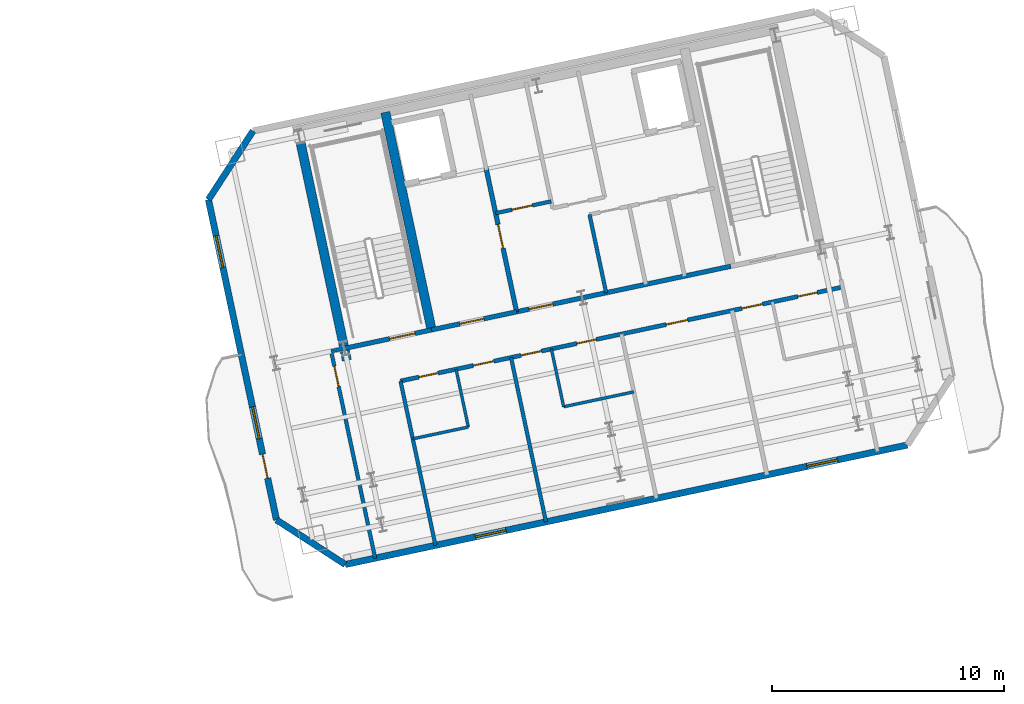
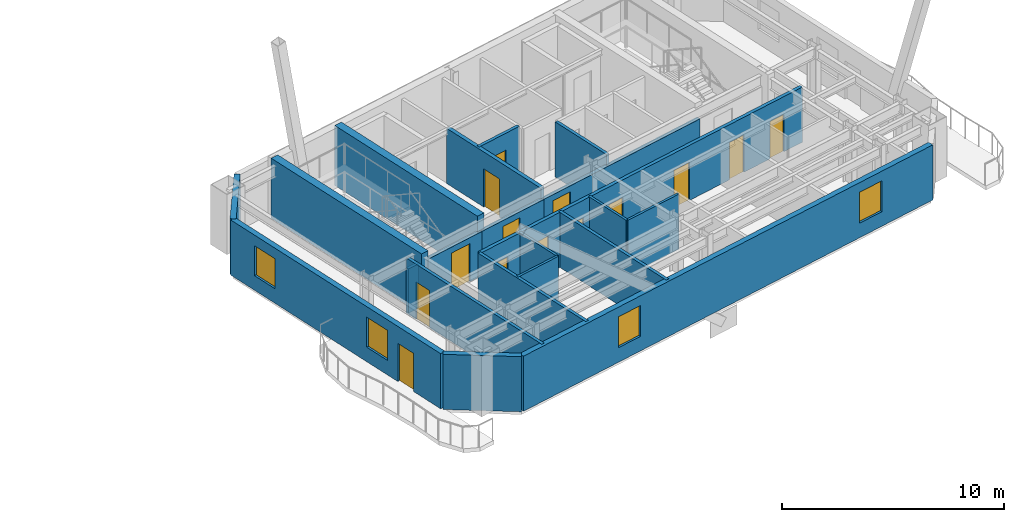
# One storey, part 8 of 14: 21 walls, 14 doors, 4 windows, 18 openings.
"""IFC4 building model written with IfcOpenShell, lengths in metres."""

from ifc_helpers import new_model, si_unit, direction, frame, frame_2d, origin, place, context, subcontext, project, spatial, rectangle, extrude, material, layer, layer_set, type_object, element, fill, save


model = new_model("IFC4")

# Units and contexts
model_context = context("Model", 3, precision=1e-05, world=origin(), true_north=direction((0.0, 1.0)))
body_context = subcontext(model_context, "Body", "Model", "MODEL_VIEW")
ifc_project = project(units=[si_unit("LENGTHUNIT", "METRE"), si_unit("AREAUNIT", "SQUARE_METRE"), si_unit("VOLUMEUNIT", "CUBIC_METRE"), si_unit("PLANEANGLEUNIT", "RADIAN"), si_unit("MASSUNIT", "GRAM", prefix="KILO")], contexts=[model_context])

# Site, building, storey
site_placement = place(None, origin())
site = spatial("IfcSite", under=ifc_project, at=site_placement, CompositionType="ELEMENT")
building_placement = place(site_placement, origin())
building = spatial("IfcBuilding", under=site, at=building_placement, Name="Haevon Station Towers", CompositionType="ELEMENT")
storey_placement = place(building_placement, frame((0.0, 0.0, 208.800048828125)))
storey = spatial("IfcBuildingStorey", under=building, at=storey_placement, Name="L57", CompositionType="ELEMENT", Elevation=208.800048828125)

# Wall, openings, doors
ifc_material_1 = material(Name="Gypsum board on steel stud", Category="steel")
ifc_layer_1 = layer(ifc_material_1, 0.179931640625)
ifc_layer_set_1 = layer_set([ifc_layer_1], Name="Gypsum board on steel stud")
wall_type_1 = type_object("IfcWallType", Name="WL-ACU180", PredefinedType="PARTITIONING", material=ifc_layer_set_1)
wall_1_placement = place(storey_placement, frame((101.177734375, 36.035888671875, 0.0), z_axis=(0.0, 0.0, 1.0), x_axis=(0.978146089545, 0.207918800275, 0.0)))
wall_1 = element("IfcWall", 1, at=wall_1_placement, inside=storey, type_object=wall_type_1, Name="WL-T2PT-L57-15", PredefinedType="PARTITIONING", context=body_context, shape_type="SweptSolid", body=[
    extrude(rectangle(XDim=19.500244140625, YDim=0.179931640625, at=frame_2d((9.75, 0.0))), origin(), (0.0, 0.0, 1.0), 3.030029296875),
])
opening_1_placement = place(wall_1_placement, frame((0.800048828125, 0.0, 0.0)))
opening_1 = element("IfcOpeningElement", 2, at=opening_1_placement, cuts=wall_1, Name="Opening DR-WL-T2PT-L57-15-01", PredefinedType="OPENING", context=body_context, shape_type="SweptSolid", body=[
    extrude(rectangle(XDim=0.85009765625, YDim=2.050048828125, at=frame_2d((0.425048828125, 1.02490234375))), frame((0.0, 0.099853515625, 0.0), z_axis=(0.0, -1.0, 0.0), x_axis=(1.0, 0.0, 0.0)), (0.0, 0.0, 1.0), 0.199951171875),
])
opening_2_placement = place(wall_1_placement, frame((3.212890625, 0.0, 0.0)))
opening_2 = element("IfcOpeningElement", 3, at=opening_2_placement, cuts=wall_1, Name="Opening DR-WL-T2PT-L57-15-02", PredefinedType="OPENING", context=body_context, shape_type="SweptSolid", body=[
    extrude(rectangle(XDim=0.89990234375, YDim=2.050048828125, at=frame_2d((0.449951171875, 1.02490234375))), frame((0.0, 0.099853515625, 0.0), z_axis=(0.0, -1.0, 0.0), x_axis=(1.0, 0.0, 0.0)), (0.0, 0.0, 1.0), 0.199951171875),
])
opening_3_placement = place(wall_1_placement, frame((7.778076171875, 0.0, 0.0)))
opening_3 = element("IfcOpeningElement", 4, at=opening_3_placement, cuts=wall_1, Name="Opening DR-WL-T2PT-L57-15-03", PredefinedType="OPENING", context=body_context, shape_type="SweptSolid", body=[
    extrude(rectangle(XDim=0.85009765625, YDim=2.050048828125, at=frame_2d((0.425048828125, 1.02490234375))), frame((0.0, 0.099853515625, 0.0), z_axis=(0.0, -1.0, 0.0), x_axis=(1.0, 0.0, 0.0)), (0.0, 0.0, 1.0), 0.199951171875),
])
opening_4_placement = place(wall_1_placement, frame((5.31494140625, 0.0, 0.0)))
opening_4 = element("IfcOpeningElement", 5, at=opening_4_placement, cuts=wall_1, Name="Opening DR-WL-T2PT-L57-15-04", PredefinedType="OPENING", context=body_context, shape_type="SweptSolid", body=[
    extrude(rectangle(XDim=0.89990234375, YDim=2.050048828125, at=frame_2d((0.449951171875, 1.02490234375))), frame((0.0, 0.099853515625, 0.0), z_axis=(0.0, -1.0, 0.0), x_axis=(1.0, 0.0, 0.0)), (0.0, 0.0, 1.0), 0.199951171875),
])
opening_5_placement = place(wall_1_placement, frame((11.712890625, 0.0, 0.0)))
opening_5 = element("IfcOpeningElement", 6, at=opening_5_placement, cuts=wall_1, Name="Opening DR-WL-T2PT-L57-15-05", PredefinedType="OPENING", context=body_context, shape_type="SweptSolid", body=[
    extrude(rectangle(XDim=0.949951171875, YDim=2.10009765625, at=frame_2d((0.47509765625, 1.050048828125))), frame((0.0, 0.099853515625, 0.0), z_axis=(0.0, -1.0, 0.0), x_axis=(1.0, 0.0, 0.0)), (0.0, 0.0, 1.0), 0.199951171875),
])
opening_6_placement = place(wall_1_placement, frame((17.527099609375, 0.0, 0.0)))
opening_6 = element("IfcOpeningElement", 7, at=opening_6_placement, cuts=wall_1, Name="Opening DR-WL-T2PT-L57-15-06", PredefinedType="OPENING", context=body_context, shape_type="SweptSolid", body=[
    extrude(rectangle(XDim=0.85009765625, YDim=2.050048828125, at=frame_2d((0.425048828125, 1.02490234375))), frame((0.0, 0.099853515625, 0.0), z_axis=(0.0, -1.0, 0.0), x_axis=(1.0, 0.0, 0.0)), (0.0, 0.0, 1.0), 0.199951171875),
])
opening_7_placement = place(wall_1_placement, frame((15.06494140625, 0.0, 0.0)))
opening_7 = element("IfcOpeningElement", 8, at=opening_7_placement, cuts=wall_1, Name="Opening DR-WL-T2PT-L57-15-07", PredefinedType="OPENING", context=body_context, shape_type="SweptSolid", body=[
    extrude(rectangle(XDim=0.89990234375, YDim=2.050048828125, at=frame_2d((0.449951171875, 1.02490234375))), frame((0.0, 0.099853515625, 0.0), z_axis=(0.0, -1.0, 0.0), x_axis=(1.0, 0.0, 0.0)), (0.0, 0.0, 1.0), 0.199951171875),
])
ifc_material_2 = material(Name="Engineered oak timber", Category="wood")
door_type_1 = type_object("IfcDoorType", Name="DR-FD30-850", OperationType="NOTDEFINED", PredefinedType="DOOR", material=ifc_material_2)
door_1_placement = place(opening_1_placement, origin())
door_1 = element("IfcDoor", 9, at=door_1_placement, inside=storey, type_object=door_type_1, Name="L57 Tower 2 Room Door 15-1", OperationType="SINGLE_SWING_RIGHT", OverallHeight=2.050048828125, OverallWidth=0.85009765625, PredefinedType="DOOR", context=body_context, shape_type="SweptSolid", body=[
    extrude(rectangle(XDim=0.85009765625, YDim=2.050048828125, at=frame_2d((0.425048828125, 1.02490234375))), frame((0.0, 0.02490234375, 0.0), z_axis=(0.0, -1.0, 0.0), x_axis=(1.0, 0.0, 0.0)), (0.0, 0.0, 1.0), 0.050048828125),
])
fill(opening_1, door_1)
door_2_placement = place(opening_3_placement, origin())
door_2 = element("IfcDoor", 10, at=door_2_placement, inside=storey, type_object=door_type_1, Name="L57 Tower 2 Room Door 15-3", OperationType="SINGLE_SWING_RIGHT", OverallHeight=2.050048828125, OverallWidth=0.85009765625, PredefinedType="DOOR", context=body_context, shape_type="SweptSolid", body=[
    extrude(rectangle(XDim=0.85009765625, YDim=2.050048828125, at=frame_2d((0.425048828125, 1.02490234375))), frame((0.0, 0.02490234375, 0.0), z_axis=(0.0, -1.0, 0.0), x_axis=(1.0, 0.0, 0.0)), (0.0, 0.0, 1.0), 0.050048828125),
])
fill(opening_3, door_2)
door_3_placement = place(opening_6_placement, origin())
door_3 = element("IfcDoor", 11, at=door_3_placement, inside=storey, type_object=door_type_1, Name="L57 Tower 2 Room Door 15-6", OperationType="SINGLE_SWING_LEFT", OverallHeight=2.050048828125, OverallWidth=0.85009765625, PredefinedType="DOOR", context=body_context, shape_type="SweptSolid", body=[
    extrude(rectangle(XDim=0.85009765625, YDim=2.050048828125, at=frame_2d((0.425048828125, 1.02490234375))), frame((0.0, 0.02490234375, 0.0), z_axis=(0.0, -1.0, 0.0), x_axis=(1.0, 0.0, 0.0)), (0.0, 0.0, 1.0), 0.050048828125),
])
fill(opening_6, door_3)
door_type_2 = type_object("IfcDoorType", Name="DR-FD30-950", OperationType="NOTDEFINED", PredefinedType="DOOR", material=ifc_material_2)
door_4_placement = place(opening_5_placement, origin())
door_4 = element("IfcDoor", 12, at=door_4_placement, inside=storey, type_object=door_type_2, Name="L57 Tower 2 Room Door 15-5", OperationType="SINGLE_SWING_RIGHT", OverallHeight=2.10009765625, OverallWidth=0.949951171875, PredefinedType="DOOR", context=body_context, shape_type="SweptSolid", body=[
    extrude(rectangle(XDim=0.949951171875, YDim=2.10009765625, at=frame_2d((0.47509765625, 1.050048828125))), frame((0.0, 0.02490234375, 0.0), z_axis=(0.0, -1.0, 0.0), x_axis=(1.0, 0.0, 0.0)), (0.0, 0.0, 1.0), 0.050048828125),
])
fill(opening_5, door_4)
door_type_3 = type_object("IfcDoorType", Name="DR-INT-900", OperationType="NOTDEFINED", PredefinedType="DOOR", material=ifc_material_2)
door_5_placement = place(opening_2_placement, origin())
door_5 = element("IfcDoor", 13, at=door_5_placement, inside=storey, type_object=door_type_3, Name="L57 Tower 2 Room Door 15-2", OperationType="SINGLE_SWING_LEFT", OverallHeight=2.050048828125, OverallWidth=0.89990234375, PredefinedType="DOOR", context=body_context, shape_type="SweptSolid", body=[
    extrude(rectangle(XDim=0.89990234375, YDim=2.050048828125, at=frame_2d((0.449951171875, 1.02490234375))), frame((0.0, 0.02490234375, 0.0), z_axis=(0.0, -1.0, 0.0), x_axis=(1.0, 0.0, 0.0)), (0.0, 0.0, 1.0), 0.050048828125),
])
fill(opening_2, door_5)
door_6_placement = place(opening_4_placement, origin())
door_6 = element("IfcDoor", 14, at=door_6_placement, inside=storey, type_object=door_type_3, Name="L57 Tower 2 Room Door 15-4", OperationType="SINGLE_SWING_LEFT", OverallHeight=2.050048828125, OverallWidth=0.89990234375, PredefinedType="DOOR", context=body_context, shape_type="SweptSolid", body=[
    extrude(rectangle(XDim=0.89990234375, YDim=2.050048828125, at=frame_2d((0.449951171875, 1.02490234375))), frame((0.0, 0.02490234375, 0.0), z_axis=(0.0, -1.0, 0.0), x_axis=(1.0, 0.0, 0.0)), (0.0, 0.0, 1.0), 0.050048828125),
])
fill(opening_4, door_6)
door_7_placement = place(opening_7_placement, origin())
door_7 = element("IfcDoor", 15, at=door_7_placement, inside=storey, type_object=door_type_3, Name="L57 Tower 2 Room Door 15-7", OperationType="SINGLE_SWING_RIGHT", OverallHeight=2.050048828125, OverallWidth=0.89990234375, PredefinedType="DOOR", context=body_context, shape_type="SweptSolid", body=[
    extrude(rectangle(XDim=0.89990234375, YDim=2.050048828125, at=frame_2d((0.449951171875, 1.02490234375))), frame((0.0, 0.02490234375, 0.0), z_axis=(0.0, -1.0, 0.0), x_axis=(1.0, 0.0, 0.0)), (0.0, 0.0, 1.0), 0.050048828125),
])
fill(opening_7, door_7)

# Wall, opening, door
ifc_layer_2 = layer(ifc_material_1, 0.199951171875)
ifc_layer_set_2 = layer_set([ifc_layer_2], Name="Gypsum board on steel stud")
wall_type_2 = type_object("IfcWallType", Name="WL-COR200", PredefinedType="PARTITIONING", material=ifc_layer_set_2)
wall_2_placement = place(storey_placement, frame((98.75244140625, 37.4423828125, 0.0), z_axis=(0.0, 0.0, 1.0), x_axis=(0.978143537786, 0.207930804564, 0.0)))
wall_2 = element("IfcWall", 16, at=wall_2_placement, inside=storey, type_object=wall_type_2, Name="WL-ST-ST3-L57", PredefinedType="PARTITIONING", context=body_context, shape_type="SweptSolid", body=[
    extrude(rectangle(XDim=3.85009765625, YDim=0.199951171875, at=frame_2d((1.925048828125, 0.0))), origin(), (0.0, 0.0, 1.0), 2.429931640625),
])
opening_8_placement = place(wall_2_placement, frame((2.0, 0.0, 0.0)))
opening_8 = element("IfcOpeningElement", 17, at=opening_8_placement, cuts=wall_2, Name="Opening DR-ST-ST3-L57", PredefinedType="OPENING", context=body_context, shape_type="SweptSolid", body=[
    extrude(rectangle(XDim=1.1201171875, YDim=2.10009765625, at=frame_2d((0.56005859375, 1.050048828125))), frame((0.0, 0.10986328125, 0.0), z_axis=(0.0, -1.0, 0.0), x_axis=(1.0, 0.0, 0.0)), (0.0, 0.0, 1.0), 0.219970703125),
])
door_type_4 = type_object("IfcDoorType", Name="DR-ST-1120", OperationType="NOTDEFINED", PredefinedType="DOOR", material=ifc_material_2)
door_8_placement = place(opening_8_placement, origin())
door_8 = element("IfcDoor", 18, at=door_8_placement, inside=storey, type_object=door_type_4, Name="L57 Escape Stair ST3 Fire Door", OperationType="SINGLE_SWING_LEFT", OverallHeight=2.10009765625, OverallWidth=1.1201171875, PredefinedType="DOOR", context=body_context, shape_type="SweptSolid", body=[
    extrude(rectangle(XDim=1.1201171875, YDim=2.10009765625, at=frame_2d((0.56005859375, 1.050048828125))), frame((0.0, 0.02490234375, 0.0), z_axis=(0.0, -1.0, 0.0), x_axis=(1.0, 0.0, 0.0)), (0.0, 0.0, 1.0), 0.050048828125),
])
fill(opening_8, door_8)

wall_3_placement = place(storey_placement, frame((106.186279296875, 39.0224609375, 0.0), z_axis=(0.0, 0.0, 1.0), x_axis=(-0.207916691923, 0.978146537703, 0.0)))
wall_3 = element("IfcWall", 19, at=wall_3_placement, inside=storey, type_object=wall_type_2, Name="WL-T2FFL-L57-E", PredefinedType="PARTITIONING", context=body_context, shape_type="SweptSolid", body=[
    extrude(rectangle(XDim=6.35009765625, YDim=0.199951171875, at=frame_2d((3.175048828125, 0.0))), origin(), (0.0, 0.0, 1.0), 3.030029296875),
])
opening_9_placement = place(wall_3_placement, frame((2.800048828125, 0.0, 0.0)))
opening_9 = element("IfcOpeningElement", 20, at=opening_9_placement, cuts=wall_3, Name="Opening DR-T2FFL-L57-E", PredefinedType="OPENING", context=body_context, shape_type="SweptSolid", body=[
    extrude(rectangle(XDim=1.050048828125, YDim=2.10009765625, at=frame_2d((0.52490234375, 1.050048828125))), frame((0.0, 0.10986328125, 0.0), z_axis=(0.0, -1.0, 0.0), x_axis=(1.0, 0.0, 0.0)), (0.0, 0.0, 1.0), 0.219970703125),
])
door_type_5 = type_object("IfcDoorType", Name="DR-FD60-1050", OperationType="NOTDEFINED", PredefinedType="DOOR", material=ifc_material_2)
door_9_placement = place(opening_9_placement, origin())
door_9 = element("IfcDoor", 21, at=door_9_placement, inside=storey, type_object=door_type_5, Name="L57 Tower 2 Firefighting Lift Lobby Door E", OperationType="SINGLE_SWING_LEFT", OverallHeight=2.10009765625, OverallWidth=1.050048828125, PredefinedType="DOOR", context=body_context, shape_type="SweptSolid", body=[
    extrude(rectangle(XDim=1.050048828125, YDim=2.10009765625, at=frame_2d((0.52490234375, 1.050048828125))), frame((0.0, 0.02490234375, 0.0), z_axis=(0.0, -1.0, 0.0), x_axis=(1.0, 0.0, 0.0)), (0.0, 0.0, 1.0), 0.050048828125),
])
fill(opening_9, door_9)

wall_4_placement = place(storey_placement, frame((102.518310546875, 38.242919921875, 0.0), z_axis=(0.0, 0.0, 1.0), x_axis=(0.978153555683, 0.20788367301, 0.0)))
wall_4 = element("IfcWall", 22, at=wall_4_placement, inside=storey, type_object=wall_type_2, Name="WL-T2FFL-L57-S", PredefinedType="PARTITIONING", context=body_context, shape_type="SweptSolid", body=[
    extrude(rectangle(XDim=3.75, YDim=0.199951171875, at=frame_2d((1.875, 0.0))), origin(), (0.0, 0.0, 1.0), 2.429931640625),
])
opening_10_placement = place(wall_4_placement, frame((1.25, 0.0, 0.0)))
opening_10 = element("IfcOpeningElement", 23, at=opening_10_placement, cuts=wall_4, Name="Opening DR-T2FFL-L57-S", PredefinedType="OPENING", context=body_context, shape_type="SweptSolid", body=[
    extrude(rectangle(XDim=1.050048828125, YDim=2.10009765625, at=frame_2d((0.52490234375, 1.050048828125))), frame((0.0, 0.10986328125, 0.0), z_axis=(0.0, -1.0, 0.0), x_axis=(1.0, 0.0, 0.0)), (0.0, 0.0, 1.0), 0.219970703125),
])
door_10_placement = place(opening_10_placement, origin())
door_10 = element("IfcDoor", 24, at=door_10_placement, inside=storey, type_object=door_type_5, Name="L57 Tower 2 Firefighting Lift Lobby Door S", OperationType="SINGLE_SWING_RIGHT", OverallHeight=2.10009765625, OverallWidth=1.050048828125, PredefinedType="DOOR", context=body_context, shape_type="SweptSolid", body=[
    extrude(rectangle(XDim=1.050048828125, YDim=2.10009765625, at=frame_2d((0.52490234375, 1.050048828125))), frame((0.0, 0.02490234375, 0.0), z_axis=(0.0, -1.0, 0.0), x_axis=(1.0, 0.0, 0.0)), (0.0, 0.0, 1.0), 0.050048828125),
])
fill(opening_10, door_10)

wall_5_placement = place(storey_placement, frame((106.186279296875, 39.0224609375, 0.0), z_axis=(0.0, 0.0, 1.0), x_axis=(0.978145519981, 0.20792147975, 0.0)))
wall_5 = element("IfcWall", 25, at=wall_5_placement, inside=storey, type_object=wall_type_2, Name="WL-T2CLB-L57", PredefinedType="PARTITIONING", context=body_context, shape_type="SweptSolid", body=[
    extrude(rectangle(XDim=9.449951171875, YDim=0.199951171875, at=frame_2d((4.72509765625, 0.0))), origin(), (0.0, 0.0, 1.0), 2.429931640625),
])
opening_11_placement = place(wall_5_placement, frame((0.550048828125, 0.0, 0.0)))
opening_11 = element("IfcOpeningElement", 26, at=opening_11_placement, cuts=wall_5, Name="Opening DR-T2CLB-L57-1", PredefinedType="OPENING", context=body_context, shape_type="SweptSolid", body=[
    extrude(rectangle(XDim=1.050048828125, YDim=2.10009765625, at=frame_2d((0.52490234375, 1.050048828125))), frame((0.0, 0.10986328125, 0.0), z_axis=(0.0, -1.0, 0.0), x_axis=(1.0, 0.0, 0.0)), (0.0, 0.0, 1.0), 0.219970703125),
])
door_11_placement = place(opening_11_placement, origin())
door_11 = element("IfcDoor", 27, at=door_11_placement, inside=storey, type_object=door_type_5, Name="L57 Tower 2 Core Lift Lobby Door 1", OperationType="SINGLE_SWING_LEFT", OverallHeight=2.10009765625, OverallWidth=1.050048828125, PredefinedType="DOOR", context=body_context, shape_type="SweptSolid", body=[
    extrude(rectangle(XDim=1.050048828125, YDim=2.10009765625, at=frame_2d((0.52490234375, 1.050048828125))), frame((0.0, 0.02490234375, 0.0), z_axis=(0.0, -1.0, 0.0), x_axis=(1.0, 0.0, 0.0)), (0.0, 0.0, 1.0), 0.050048828125),
])
fill(opening_11, door_11)

# Walls
ifc_material_3 = material(Name="Concrete C60/75", Category="concrete")
ifc_layer_3 = layer(ifc_material_3, 0.39990234375)
ifc_layer_set_3 = layer_set([ifc_layer_3], Name="Concrete C60/75")
wall_type_3 = type_object("IfcWallType", Name="WL-CR400", PredefinedType="SHEAR", material=ifc_layer_set_3)
wall_6_placement = place(storey_placement, frame((98.8603515625, 36.933837890625, 0.0), z_axis=(0.0, 0.0, 1.0), x_axis=(-0.20790924889, 0.978148119778, 0.0)))
element("IfcWall", 28, at=wall_6_placement, inside=storey, type_object=wall_type_3, Name="WL-T2CR-L57-W", PredefinedType="SHEAR", context=body_context, shape_type="SweptSolid", body=[
    extrude(rectangle(XDim=10.119873046875, YDim=0.39990234375, at=frame_2d((5.06005859375, 0.0))), origin(), (0.0, 0.0, 1.0), 3.300048828125),
])
wall_7_placement = place(storey_placement, frame((102.518310546875, 38.242919921875, 0.0), z_axis=(0.0, 0.0, 1.0), x_axis=(-0.207927495108, 0.978144241295, 0.0)))
element("IfcWall", 29, at=wall_7_placement, inside=storey, type_object=wall_type_3, Name="WL-T2CR-L57-M1", PredefinedType="SHEAR", context=body_context, shape_type="SweptSolid", body=[
    extrude(rectangle(XDim=9.599853515625, YDim=0.39990234375, at=frame_2d((4.7998046875, 0.0))), origin(), (0.0, 0.0, 1.0), 3.300048828125),
])

# Wall, openings, windows
ifc_material_4 = material(Name="Precast concrete C45/55", Category="concrete")
ifc_layer_4 = layer(ifc_material_4, 0.280029296875)
ifc_layer_set_4 = layer_set([ifc_layer_4], Name="Precast concrete C45/55")
wall_type_4 = type_object("IfcWallType", Name="WL-EXT-PIER280", PredefinedType="SOLIDWALL", material=ifc_layer_set_4)
wall_8_placement = place(storey_placement, frame((123.050048828125, 33.273193359375, 0.0), z_axis=(0.0, 0.0, 1.0), x_axis=(-0.97814726544, -0.207913268245, 0.0)))
wall_8 = element("IfcWall", 30, at=wall_8_placement, inside=storey, type_object=wall_type_4, Name="WL-T2-L57-S", PredefinedType="SOLIDWALL", context=body_context, shape_type="SweptSolid", body=[
    extrude(rectangle(XDim=24.800048828125, YDim=0.280029296875, at=frame_2d((12.39990234375, 0.0))), origin(), (0.0, 0.0, 1.0), 3.030029296875),
])
opening_12_placement = place(wall_8_placement, frame((17.70751953125, 0.0, 0.800048828125)))
opening_12 = element("IfcOpeningElement", 31, at=opening_12_placement, cuts=wall_8, Name="Opening WN-P135", PredefinedType="OPENING", context=body_context, shape_type="SweptSolid", body=[
    extrude(rectangle(XDim=1.35009765625, YDim=1.699951171875, at=frame_2d((0.675048828125, 0.85009765625))), frame((0.0, 0.14990234375, 0.0), z_axis=(0.0, -1.0, 0.0), x_axis=(1.0, 0.0, 0.0)), (0.0, 0.0, 1.0), 0.300048828125),
])
opening_13_placement = place(wall_8_placement, frame((3.08251953125, 0.0, 0.800048828125)))
opening_13 = element("IfcOpeningElement", 32, at=opening_13_placement, cuts=wall_8, Name="Opening WN-P135", PredefinedType="OPENING", context=body_context, shape_type="SweptSolid", body=[
    extrude(rectangle(XDim=1.35009765625, YDim=1.699951171875, at=frame_2d((0.675048828125, 0.85009765625))), frame((0.0, 0.14990234375, 0.0), z_axis=(0.0, -1.0, 0.0), x_axis=(1.0, 0.0, 0.0)), (0.0, 0.0, 1.0), 0.300048828125),
])
ifc_material_5 = material(Name="Low-E triple glazing in thermally broken aluminium", Category="aluminium")
window_type_1 = type_object("IfcWindowType", Name="WN-P135", PartitioningType="SINGLE_PANEL", PredefinedType="WINDOW", material=ifc_material_5)
window_1_placement = place(opening_12_placement, origin())
window_1 = element("IfcWindow", 33, at=window_1_placement, inside=storey, type_object=window_type_1, Name="WN-T2-L57-S01", OverallHeight=1.699951171875, OverallWidth=1.35009765625, PartitioningType="SINGLE_PANEL", PredefinedType="WINDOW", context=body_context, shape_type="SweptSolid", body=[
    extrude(rectangle(XDim=1.35009765625, YDim=1.699951171875, at=frame_2d((0.675048828125, 0.85009765625))), frame((0.0, 0.030029296875, 0.0), z_axis=(0.0, -1.0, 0.0), x_axis=(1.0, 0.0, 0.0)), (0.0, 0.0, 1.0), 0.06005859375),
])
fill(opening_12, window_1)
window_2_placement = place(opening_13_placement, origin())
window_2 = element("IfcWindow", 34, at=window_2_placement, inside=storey, type_object=window_type_1, Name="WN-T2-L57-S02", OverallHeight=1.699951171875, OverallWidth=1.35009765625, PartitioningType="SINGLE_PANEL", PredefinedType="WINDOW", context=body_context, shape_type="SweptSolid", body=[
    extrude(rectangle(XDim=1.35009765625, YDim=1.699951171875, at=frame_2d((0.675048828125, 0.85009765625))), frame((0.0, 0.030029296875, 0.0), z_axis=(0.0, -1.0, 0.0), x_axis=(1.0, 0.0, 0.0)), (0.0, 0.0, 1.0), 0.06005859375),
])
fill(opening_13, window_2)

# Wall
wall_9_placement = place(storey_placement, frame((98.7919921875, 28.116943359375, 0.0), z_axis=(0.0, 0.0, 1.0), x_axis=(-0.838672309694, 0.544636352948, 0.0)))
element("IfcWall", 35, at=wall_9_placement, inside=storey, type_object=wall_type_4, Name="WL-T2-L57-SWC", PredefinedType="SOLIDWALL", context=body_context, shape_type="SweptSolid", body=[
    extrude(rectangle(XDim=3.535400390625, YDim=0.280029296875, at=frame_2d((1.767578125, 0.0))), origin(), (0.0, 0.0, 1.0), 3.030029296875),
])

# Wall, openings, door, windows
wall_10_placement = place(storey_placement, frame((95.826904296875, 30.04248046875, 0.0), z_axis=(0.0, 0.0, 1.0), x_axis=(-0.207907523802, 0.978148486451, 0.0)))
wall_10 = element("IfcWall", 36, at=wall_10_placement, inside=storey, type_object=wall_type_4, Name="WL-T2-L57-W", PredefinedType="SOLIDWALL", context=body_context, shape_type="SweptSolid", body=[
    extrude(rectangle(XDim=14.130126953125, YDim=0.280029296875, at=frame_2d((7.06494140625, 0.0))), origin(), (0.0, 0.0, 1.0), 3.030029296875),
])
opening_14_placement = place(wall_10_placement, frame((1.840087890625, 0.0, 0.0)))
opening_14 = element("IfcOpeningElement", 37, at=opening_14_placement, cuts=wall_10, Name="Opening DR-T2-SCAL-L57-W", PredefinedType="OPENING", context=body_context, shape_type="SweptSolid", body=[
    extrude(rectangle(XDim=1.050048828125, YDim=2.10009765625, at=frame_2d((0.52490234375, 1.050048828125))), frame((0.0, 0.14990234375, 0.0), z_axis=(0.0, -1.0, 0.0), x_axis=(1.0, 0.0, 0.0)), (0.0, 0.0, 1.0), 0.300048828125),
])
opening_15_placement = place(wall_10_placement, frame((3.58251953125, 0.0, 0.800048828125)))
opening_15 = element("IfcOpeningElement", 38, at=opening_15_placement, cuts=wall_10, Name="Opening WN-END140", PredefinedType="OPENING", context=body_context, shape_type="SweptSolid", body=[
    extrude(rectangle(XDim=1.39990234375, YDim=1.64990234375, at=frame_2d((0.699951171875, 0.824951171875))), frame((0.0, 0.14990234375, 0.0), z_axis=(0.0, -1.0, 0.0), x_axis=(1.0, 0.0, 0.0)), (0.0, 0.0, 1.0), 0.300048828125),
])
opening_16_placement = place(wall_10_placement, frame((11.135009765625, 0.0, 0.800048828125)))
opening_16 = element("IfcOpeningElement", 39, at=opening_16_placement, cuts=wall_10, Name="Opening WN-END140", PredefinedType="OPENING", context=body_context, shape_type="SweptSolid", body=[
    extrude(rectangle(XDim=1.39990234375, YDim=1.64990234375, at=frame_2d((0.699951171875, 0.824951171875))), frame((0.0, 0.14990234375, 0.0), z_axis=(0.0, -1.0, 0.0), x_axis=(1.0, 0.0, 0.0)), (0.0, 0.0, 1.0), 0.300048828125),
])
ifc_material_6 = material(Name="Thermally broken anodised aluminium and laminated safety glass", Category="aluminium")
door_type_6 = type_object("IfcDoorType", Name="DR-BALC-1050", OperationType="NOTDEFINED", PredefinedType="DOOR", material=ifc_material_6)
door_12_placement = place(opening_14_placement, origin())
door_12 = element("IfcDoor", 40, at=door_12_placement, inside=storey, type_object=door_type_6, Name="Tower 2 L57 West Scalloped Balcony Door", OperationType="SINGLE_SWING_RIGHT", OverallHeight=2.10009765625, OverallWidth=1.050048828125, PredefinedType="DOOR", context=body_context, shape_type="SweptSolid", body=[
    extrude(rectangle(XDim=1.050048828125, YDim=2.10009765625, at=frame_2d((0.52490234375, 1.050048828125))), frame((0.0, 0.02490234375, 0.0), z_axis=(0.0, -1.0, 0.0), x_axis=(1.0, 0.0, 0.0)), (0.0, 0.0, 1.0), 0.050048828125),
])
fill(opening_14, door_12)
window_type_2 = type_object("IfcWindowType", Name="WN-END140", PartitioningType="SINGLE_PANEL", PredefinedType="WINDOW", material=ifc_material_5)
window_3_placement = place(opening_15_placement, origin())
window_3 = element("IfcWindow", 41, at=window_3_placement, inside=storey, type_object=window_type_2, Name="WN-T2-L57-W01", OverallHeight=1.64990234375, OverallWidth=1.39990234375, PartitioningType="SINGLE_PANEL", PredefinedType="WINDOW", context=body_context, shape_type="SweptSolid", body=[
    extrude(rectangle(XDim=1.39990234375, YDim=1.64990234375, at=frame_2d((0.699951171875, 0.824951171875))), frame((0.0, 0.030029296875, 0.0), z_axis=(0.0, -1.0, 0.0), x_axis=(1.0, 0.0, 0.0)), (0.0, 0.0, 1.0), 0.06005859375),
])
fill(opening_15, window_3)
window_4_placement = place(opening_16_placement, origin())
window_4 = element("IfcWindow", 42, at=window_4_placement, inside=storey, type_object=window_type_2, Name="WN-T2-L57-W02", OverallHeight=1.64990234375, OverallWidth=1.39990234375, PartitioningType="SINGLE_PANEL", PredefinedType="WINDOW", context=body_context, shape_type="SweptSolid", body=[
    extrude(rectangle(XDim=1.39990234375, YDim=1.64990234375, at=frame_2d((0.699951171875, 0.824951171875))), frame((0.0, 0.030029296875, 0.0), z_axis=(0.0, -1.0, 0.0), x_axis=(1.0, 0.0, 0.0)), (0.0, 0.0, 1.0), 0.06005859375),
])
fill(opening_16, window_4)

# Walls
wall_11_placement = place(storey_placement, frame((92.88916015625, 43.86376953125, 0.0), z_axis=(0.0, 0.0, 1.0), x_axis=(0.544636352948, 0.838672309694, 0.0)))
element("IfcWall", 43, at=wall_11_placement, inside=storey, type_object=wall_type_4, Name="WL-T2-L57-NWC", PredefinedType="SOLIDWALL", context=body_context, shape_type="SweptSolid", body=[
    extrude(rectangle(XDim=3.535400390625, YDim=0.280029296875, at=frame_2d((1.767578125, 0.0))), origin(), (0.0, 0.0, 1.0), 3.030029296875),
])
ifc_layer_5 = layer(ifc_material_1, 0.125)
ifc_layer_set_5 = layer_set([ifc_layer_5], Name="Gypsum board on steel stud")
wall_type_5 = type_object("IfcWallType", Name="WL-PRT125", PredefinedType="PARTITIONING", material=ifc_layer_set_5)
wall_12_placement = place(storey_placement, frame((101.7080078125, 33.541748046875, 0.0), z_axis=(0.0, 0.0, 1.0), x_axis=(0.978156824814, 0.207868290196, 0.0)))
element("IfcWall", 44, at=wall_12_placement, inside=storey, type_object=wall_type_5, Name="WL-T2PT-L57-06", PredefinedType="PARTITIONING", context=body_context, shape_type="SweptSolid", body=[
    extrude(rectangle(XDim=2.449951171875, YDim=0.125, at=frame_2d((1.22509765625, 0.0))), origin(), (0.0, 0.0, 1.0), 3.030029296875),
])
wall_13_placement = place(storey_placement, frame((104.1044921875, 34.051025390625, 0.0), z_axis=(0.0, 0.0, 1.0), x_axis=(-0.207940050407, 0.978141572287, 0.0)))
element("IfcWall", 45, at=wall_13_placement, inside=storey, type_object=wall_type_5, Name="WL-T2PT-L57-07", PredefinedType="PARTITIONING", context=body_context, shape_type="SweptSolid", body=[
    extrude(rectangle(XDim=2.550048828125, YDim=0.125, at=frame_2d((1.27490234375, 0.0))), origin(), (0.0, 0.0, 1.0), 3.030029296875),
])
wall_14_placement = place(storey_placement, frame((108.217529296875, 34.92529296875, 0.0), z_axis=(0.0, 0.0, 1.0), x_axis=(0.978142809708, 0.207934229547, 0.0)))
element("IfcWall", 46, at=wall_14_placement, inside=storey, type_object=wall_type_5, Name="WL-T2PT-L57-09", PredefinedType="PARTITIONING", context=body_context, shape_type="SweptSolid", body=[
    extrude(rectangle(XDim=3.094970703125, YDim=0.125, at=frame_2d((1.54736328125, 0.0))), origin(), (0.0, 0.0, 1.0), 3.030029296875),
])
wall_15_placement = place(storey_placement, frame((108.217529296875, 34.92529296875, 0.0), z_axis=(0.0, 0.0, 1.0), x_axis=(-0.207940050407, 0.978141572287, 0.0)))
element("IfcWall", 47, at=wall_15_placement, inside=storey, type_object=wall_type_5, Name="WL-T2PT-L57-10", PredefinedType="PARTITIONING", context=body_context, shape_type="SweptSolid", body=[
    extrude(rectangle(XDim=2.550048828125, YDim=0.125, at=frame_2d((1.27490234375, 0.0))), origin(), (0.0, 0.0, 1.0), 3.030029296875),
])

# Wall, opening, door
ifc_layer_6 = layer(ifc_material_1, 0.159912109375)
ifc_layer_set_6 = layer_set([ifc_layer_6], Name="Gypsum board on steel stud")
wall_type_6 = type_object("IfcWallType", Name="WL-PRT160", PredefinedType="PARTITIONING", material=ifc_layer_set_6)
wall_16_placement = place(storey_placement, frame((105.28173828125, 43.277587890625, 0.0), z_axis=(0.0, 0.0, 1.0), x_axis=(0.978156824814, 0.207868290196, 0.0)))
wall_16 = element("IfcWall", 48, at=wall_16_placement, inside=storey, type_object=wall_type_6, Name="WL-T2CW-L57-02", PredefinedType="PARTITIONING", context=body_context, shape_type="SweptSolid", body=[
    extrude(rectangle(XDim=2.449951171875, YDim=0.159912109375, at=frame_2d((1.22509765625, 0.0))), origin(), (0.0, 0.0, 1.0), 3.030029296875),
])
opening_17_placement = place(wall_16_placement, frame((0.719970703125, 0.0, 0.0)))
opening_17 = element("IfcOpeningElement", 49, at=opening_17_placement, cuts=wall_16, Name="Opening DR-WL-T2CW-L57-02-1", PredefinedType="OPENING", context=body_context, shape_type="SweptSolid", body=[
    extrude(rectangle(XDim=0.89990234375, YDim=2.10009765625, at=frame_2d((0.449951171875, 1.050048828125))), frame((0.0, 0.08984375, 0.0), z_axis=(0.0, -1.0, 0.0), x_axis=(1.0, 0.0, 0.0)), (0.0, 0.0, 1.0), 0.179931640625),
])
door_type_7 = type_object("IfcDoorType", Name="DR-FD60-900", OperationType="NOTDEFINED", PredefinedType="DOOR", material=ifc_material_2)
door_13_placement = place(opening_17_placement, origin())
door_13 = element("IfcDoor", 50, at=door_13_placement, inside=storey, type_object=door_type_7, Name="L57 Tower 2 Core Room Door 2-1", OperationType="SINGLE_SWING_LEFT", OverallHeight=2.10009765625, OverallWidth=0.89990234375, PredefinedType="DOOR", context=body_context, shape_type="SweptSolid", body=[
    extrude(rectangle(XDim=0.89990234375, YDim=2.10009765625, at=frame_2d((0.449951171875, 1.050048828125))), frame((0.0, 0.02490234375, 0.0), z_axis=(0.0, -1.0, 0.0), x_axis=(1.0, 0.0, 0.0)), (0.0, 0.0, 1.0), 0.050048828125),
])
fill(opening_17, door_13)

# Walls
wall_17_placement = place(storey_placement, frame((110.050048828125, 39.84375, 0.0), z_axis=(0.0, 0.0, 1.0), x_axis=(-0.207900225061, 0.978150037785, 0.0)))
element("IfcWall", 51, at=wall_17_placement, inside=storey, type_object=wall_type_6, Name="WL-T2CW-L57-06", PredefinedType="PARTITIONING", context=body_context, shape_type="SweptSolid", body=[
    extrude(rectangle(XDim=3.4501953125, YDim=0.159912109375, at=frame_2d((1.72509765625, 0.0))), origin(), (0.0, 0.0, 1.0), 3.030029296875),
])
wall_18_placement = place(storey_placement, frame((102.68505859375, 28.9443359375, 0.0), z_axis=(0.0, 0.0, 1.0), x_axis=(-0.207907487947, 0.978148494072, 0.0)))
element("IfcWall", 52, at=wall_18_placement, inside=storey, type_object=wall_type_6, Name="WL-T2PT-L57-01", PredefinedType="PARTITIONING", context=body_context, shape_type="SweptSolid", body=[
    extrude(rectangle(XDim=7.25, YDim=0.159912109375, at=frame_2d((3.625, 0.0))), origin(), (0.0, 0.0, 1.0), 3.030029296875),
])
wall_19_placement = place(storey_placement, frame((98.18505859375, 37.32177734375, 0.0), z_axis=(0.0, 0.0, 1.0), x_axis=(0.978146012851, 0.207919161079, 0.0)))
element("IfcWall", 53, at=wall_19_placement, inside=storey, type_object=wall_type_6, Name="WL-T2PT-L57-02", PredefinedType="PARTITIONING", context=body_context, shape_type="SweptSolid", body=[
    extrude(rectangle(XDim=0.580078125, YDim=0.159912109375, at=frame_2d((0.2900390625, 0.0))), origin(), (0.0, 0.0, 1.0), 2.429931640625),
])

# Wall, opening, door
wall_20_placement = place(storey_placement, frame((100.083251953125, 28.391357421875, 0.0), z_axis=(0.0, 0.0, 1.0), x_axis=(-0.207908966823, 0.978148179733, 0.0)))
wall_20 = element("IfcWall", 54, at=wall_20_placement, inside=storey, type_object=wall_type_6, Name="WL-T2PT-L57-04", PredefinedType="PARTITIONING", context=body_context, shape_type="SweptSolid", body=[
    extrude(rectangle(XDim=9.1298828125, YDim=0.159912109375, at=frame_2d((4.56494140625, 0.0))), origin(), (0.0, 0.0, 1.0), 3.030029296875),
])
opening_18_placement = place(wall_20_placement, frame((7.570068359375, 0.0, 0.0)))
opening_18 = element("IfcOpeningElement", 55, at=opening_18_placement, cuts=wall_20, Name="Opening DR-WL-T2PT-L57-04-01", PredefinedType="OPENING", context=body_context, shape_type="SweptSolid", body=[
    extrude(rectangle(XDim=0.89990234375, YDim=2.050048828125, at=frame_2d((0.449951171875, 1.02490234375))), frame((0.0, 0.08984375, 0.0), z_axis=(0.0, -1.0, 0.0), x_axis=(1.0, 0.0, 0.0)), (0.0, 0.0, 1.0), 0.179931640625),
])
door_14_placement = place(opening_18_placement, origin())
door_14 = element("IfcDoor", 56, at=door_14_placement, inside=storey, type_object=door_type_3, Name="L57 Tower 2 Room Door 4-1", OperationType="SINGLE_SWING_RIGHT", OverallHeight=2.050048828125, OverallWidth=0.89990234375, PredefinedType="DOOR", context=body_context, shape_type="SweptSolid", body=[
    extrude(rectangle(XDim=0.89990234375, YDim=2.050048828125, at=frame_2d((0.449951171875, 1.02490234375))), frame((0.0, 0.02490234375, 0.0), z_axis=(0.0, -1.0, 0.0), x_axis=(1.0, 0.0, 0.0)), (0.0, 0.0, 1.0), 0.050048828125),
])
fill(opening_18, door_14)

# Wall
wall_21_placement = place(storey_placement, frame((107.45361328125, 29.9580078125, 0.0), z_axis=(0.0, 0.0, 1.0), x_axis=(-0.207907487947, 0.978148494072, 0.0)))
element("IfcWall", 57, at=wall_21_placement, inside=storey, type_object=wall_type_6, Name="WL-T2PT-L57-08", PredefinedType="PARTITIONING", context=body_context, shape_type="SweptSolid", body=[
    extrude(rectangle(XDim=7.25, YDim=0.159912109375, at=frame_2d((3.625, 0.0))), origin(), (0.0, 0.0, 1.0), 3.030029296875),
])

save(model, "model.ifc")
